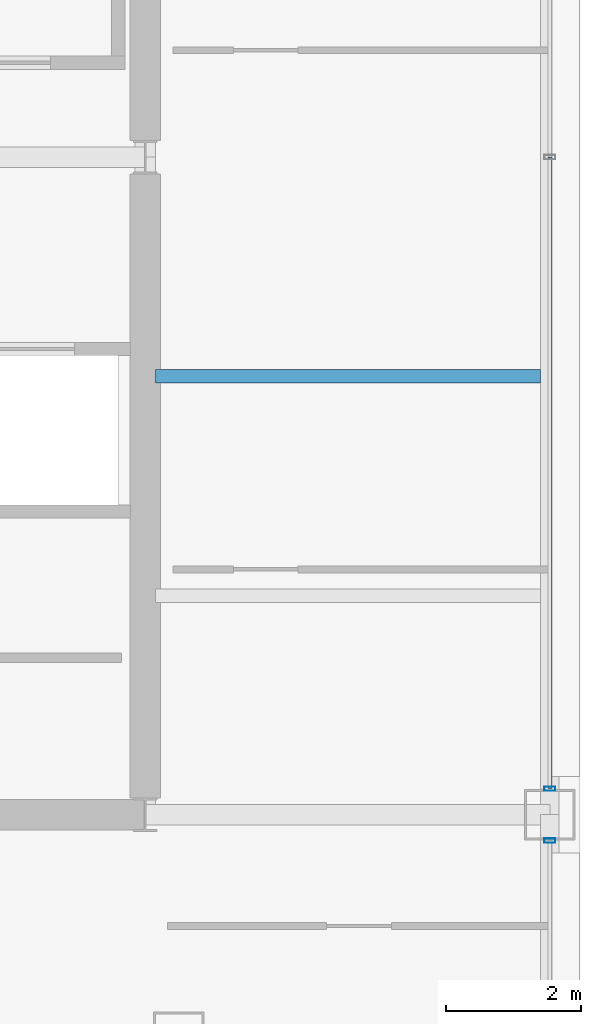
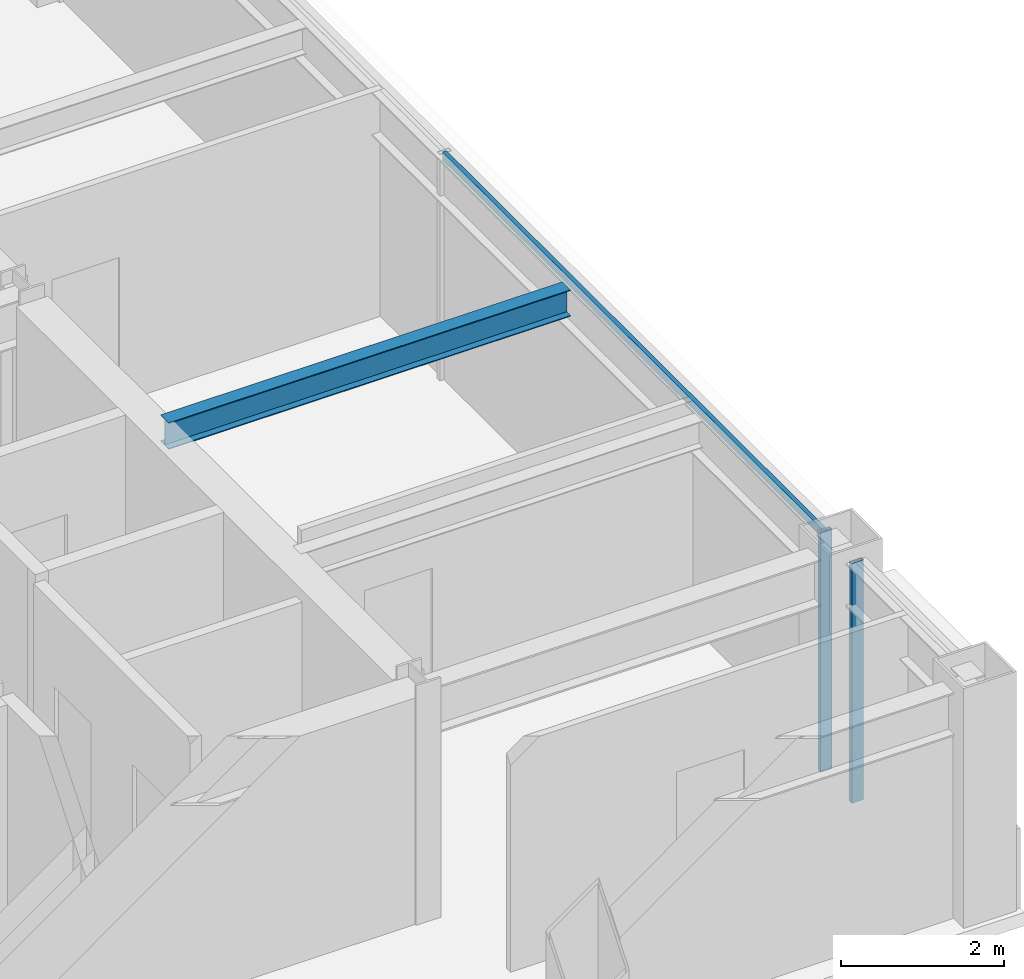
# One storey, part 13 of 28: 3 members, 1 beam, 2 elements without a shape of their own.
"""IFC4 building model written with IfcOpenShell, lengths in metres."""

import ifcopenshell
import ifcopenshell.guid

model = None  # the IFC model being written
_history = None  # IfcOwnerHistory: only IFC2X3 demands one
_inside = {}  # id of a spatial element -> (the spatial element, [elements in it])
_under = {}  # id of a project, library or spatial element -> (it, [spatial elements below it])
_declared = {}  # id of a project -> (the project, [libraries it declares])
_typed = {}  # id of a type object -> (the type object, [elements of that type])
_made_of = {}  # id of a material, layer set ... -> (it, [elements and type objects made of it])


def new_model(schema):
    """Start an empty IFC model of exactly this schema.

    Asked for "IFC4X3", IfcOpenShell would pick the latest addendum, in which some entities
    have other attributes; the version numbers below select the first issue.
    IFC2X3 requires an IfcOwnerHistory on every rooted entity: one is made here for all.
    """
    global model, _history
    if schema == "IFC4X3":
        model = ifcopenshell.file(schema_version=(4, 3, 0, 0))
    else:
        model = ifcopenshell.file(schema=schema)
    _inside.clear()
    _under.clear()
    _declared.clear()
    _typed.clear()
    _made_of.clear()
    _history = None
    if model.schema == "IFC2X3":
        org = make("IfcOrganization", Name="unknown")
        user = make(
            "IfcPersonAndOrganization",
            ThePerson=make("IfcPerson", FamilyName="unknown"),
            TheOrganization=org,
        )
        app = make(
            "IfcApplication",
            ApplicationDeveloper=org,
            Version="unknown",
            ApplicationFullName="unknown",
            ApplicationIdentifier="unknown",
        )
        _history = make(
            "IfcOwnerHistory",
            OwningUser=user,
            OwningApplication=app,
            ChangeAction="ADDED",
            CreationDate=0,
        )
    return model


def make(cls, **values):
    """One entity of the class cls with the attributes given. An attribute that is None is left unset."""
    return model.create_entity(
        cls, **{name: value for name, value in values.items() if value is not None}
    )


def rooted(cls, **values):
    """An entity with a GlobalId (a new one), such as an element, a storey or a relation."""
    return make(cls, GlobalId=ifcopenshell.guid.new(), OwnerHistory=_history, **values)


def si_unit(unit_type, name, prefix=None):
    """IfcSIUnit, for example si_unit("LENGTHUNIT", "METRE", prefix="MILLI")."""
    return make("IfcSIUnit", UnitType=unit_type, Prefix=prefix, Name=name)


def assignment(units):
    """IfcUnitAssignment: the units of a project."""
    return None if units is None else make("IfcUnitAssignment", Units=units)


def point(xyz):
    """IfcCartesianPoint."""
    return None if xyz is None else make("IfcCartesianPoint", Coordinates=xyz)


def direction(xyz):
    """IfcDirection."""
    return None if xyz is None else make("IfcDirection", DirectionRatios=xyz)


def frame(location, z_axis=None, x_axis=None):
    """IfcAxis2Placement3D, a coordinate frame: its origin and axes. An axis left out is left unset."""
    return make(
        "IfcAxis2Placement3D",
        Location=point(location),
        Axis=direction(z_axis),
        RefDirection=direction(x_axis),
    )


def frame_2d(location, x_axis=None):
    """IfcAxis2Placement2D, a coordinate frame in the plane: its origin and x axis."""
    return make(
        "IfcAxis2Placement2D", Location=point(location), RefDirection=direction(x_axis)
    )


def origin():
    """The frame at (0, 0, 0) with its axes left unset."""
    return frame((0.0, 0.0, 0.0))


def origin_2d():
    """The frame at (0, 0) in the plane with its x axis left unset."""
    return frame_2d((0.0, 0.0))


def place(relative_to, where):
    """IfcLocalPlacement: puts the frame where relative to a parent placement (None: the world)."""
    return make(
        "IfcLocalPlacement", PlacementRelTo=relative_to, RelativePlacement=where
    )


def context(
    kind, dimensions, precision=None, world=None, true_north=None, identifier=None
):
    """IfcGeometricRepresentationContext, for example the 3D "Model" context."""
    return make(
        "IfcGeometricRepresentationContext",
        ContextIdentifier=identifier,
        ContextType=kind,
        CoordinateSpaceDimension=dimensions,
        Precision=precision,
        WorldCoordinateSystem=world,
        TrueNorth=true_north,
    )


def subcontext(parent, identifier, kind, view, scale=None):
    """IfcGeometricRepresentationSubContext, for example "Body" below "Model"."""
    return make(
        "IfcGeometricRepresentationSubContext",
        ContextIdentifier=identifier,
        ContextType=kind,
        ParentContext=parent,
        TargetScale=scale,
        TargetView=view,
    )


def project(units=None, contexts=None):
    """IfcProject with its units and contexts."""
    return rooted(
        "IfcProject",
        Name="project",
        RepresentationContexts=contexts,
        UnitsInContext=assignment(units),
    )


def spatial(cls, under=None, at=None, **own):
    """A site, building, storey or space (cls), placed at a placement, below another one or the project."""
    s = rooted(cls, ObjectPlacement=at, **own)
    if under is not None:
        _under.setdefault(under.id(), (under, []))[1].append(s)
    return s


def profile(cls, at=None, kind="AREA", **sizes):
    """A parametric profile (cls). Its sizes go by their IFC names, for example OverallWidth=200.0."""
    return make(cls, ProfileType=kind, Position=at, **sizes)


def hollow_rectangle(**sizes):
    """IfcRectangleHollowProfileDef."""
    return profile("IfcRectangleHollowProfileDef", **sizes)


def i_section(**sizes):
    """IfcIShapeProfileDef."""
    return profile("IfcIShapeProfileDef", **sizes)


def extrude(swept, where, along, depth):
    """IfcExtrudedAreaSolid: the profile swept, set in the frame where, extruded along a direction by depth."""
    return make(
        "IfcExtrudedAreaSolid",
        SweptArea=swept,
        Position=where,
        ExtrudedDirection=direction(along),
        Depth=depth,
    )


def shape(context_of_items, identifier, shape_type, items):
    """IfcShapeRepresentation: the items that make up one representation, for example the "Body"."""
    return make(
        "IfcShapeRepresentation",
        ContextOfItems=context_of_items,
        RepresentationIdentifier=identifier,
        RepresentationType=shape_type,
        Items=items,
    )


def material(Name=None, Category=None):
    """IfcMaterial."""
    return make("IfcMaterial", Name=Name, Category=Category)


def layer(
    of_material, thickness, ventilated=None, Name=None, Category=None, Priority=None
):
    """IfcMaterialLayer: one layer of a wall or slab, of a material (None: an air gap)."""
    return make(
        "IfcMaterialLayer",
        Material=of_material,
        LayerThickness=thickness,
        IsVentilated=ventilated,
        Name=Name,
        Category=Category,
        Priority=Priority,
    )


def layer_set(layers, Name=None):
    """IfcMaterialLayerSet."""
    return make("IfcMaterialLayerSet", MaterialLayers=layers, LayerSetName=Name)


def material_profile(
    of_material, cross_section, Name=None, Category=None, Priority=None
):
    """IfcMaterialProfile: a cross section and its material."""
    return make(
        "IfcMaterialProfile",
        Name=Name,
        Material=of_material,
        Profile=cross_section,
        Priority=Priority,
        Category=Category,
    )


def profile_set(profiles, Name=None, composite=None):
    """IfcMaterialProfileSet."""
    return make(
        "IfcMaterialProfileSet",
        Name=Name,
        MaterialProfiles=profiles,
        CompositeProfile=composite,
    )


def made_of(thing, what):
    """Note that an element or type object is made of a material, layer set ...; save() writes the relation."""
    if what is not None:
        _made_of.setdefault(what.id(), (what, []))[1].append(thing)
    return thing


def type_object(cls, material=None, **own):
    """A type object (cls), such as IfcWallType, which elements share."""
    return made_of(rooted(cls, **own), material)


def element(
    cls,
    number,
    at=None,
    inside=None,
    cuts=None,
    type_object=None,
    material=None,
    context=None,
    identifier="Body",
    shape_type=None,
    held_by="IfcProductDefinitionShape",
    body=None,
    shapes=None,
    **own,
):
    """One element of the class cls, such as IfcWall. Its Tag is "e" and its number.

    at: its placement. inside: the storey or other place that contains it. cuts: it is an
    opening in that element (IfcRelVoidsElement). A single representation is given by context,
    identifier, shape_type and body (its items); several are given by shapes. held_by: the class
    of the entity that holds the representations. save() writes the other relations.
    """
    e = rooted(cls, Tag="e%d" % number, ObjectPlacement=at, **own)
    if body is not None:
        shapes = [shape(context, identifier, shape_type, body)]
    if shapes is not None:
        e.Representation = make(held_by, Representations=shapes)
    if inside is not None:
        _inside.setdefault(inside.id(), (inside, []))[1].append(e)
    if cuts is not None:
        rooted(
            "IfcRelVoidsElement", RelatingBuildingElement=cuts, RelatedOpeningElement=e
        )
    if type_object is not None:
        _typed.setdefault(type_object.id(), (type_object, []))[1].append(e)
    return made_of(e, material)


def aggregate(whole, parts):
    """IfcRelAggregates: a whole, such as a stair, and the parts it consists of."""
    return rooted("IfcRelAggregates", RelatingObject=whole, RelatedObjects=parts)


def save(model, path):
    """Write the relations noted so far, then the file.

    IfcRelAggregates (storeys below a building ...), IfcRelContainedInSpatialStructure (elements
    in a storey), IfcRelDefinesByType, IfcRelAssociatesMaterial and IfcRelDeclares: one each for
    every whole, place, type object, material and project.
    """
    for whole, parts in _under.values():
        aggregate(whole, parts)
    for where, things in _inside.values():
        rooted(
            "IfcRelContainedInSpatialStructure",
            RelatedElements=things,
            RelatingStructure=where,
        )
    for kind, things in _typed.values():
        rooted("IfcRelDefinesByType", RelatedObjects=things, RelatingType=kind)
    for what, things in _made_of.values():
        rooted("IfcRelAssociatesMaterial", RelatedObjects=things, RelatingMaterial=what)
    for by, libraries in _declared.values():
        rooted("IfcRelDeclares", RelatingContext=by, RelatedDefinitions=libraries)
    model.write(path)


model = new_model("IFC4")

# Units and contexts
model_context = context("Model", 3, precision=1e-05, world=origin(), true_north=direction((0.0, 1.0)))
body_context = subcontext(model_context, "Body", "Model", "MODEL_VIEW")
ifc_project = project(units=[si_unit("LENGTHUNIT", "METRE"), si_unit("AREAUNIT", "SQUARE_METRE"), si_unit("VOLUMEUNIT", "CUBIC_METRE"), si_unit("PLANEANGLEUNIT", "RADIAN"), si_unit("MASSUNIT", "GRAM", prefix="KILO")], contexts=[model_context])

# Site, building, storey
site_placement = place(None, origin())
site = spatial("IfcSite", under=ifc_project, at=site_placement, CompositionType="ELEMENT")
building_placement = place(site_placement, origin())
building = spatial("IfcBuilding", under=site, at=building_placement, Name="Brelmoor Portico Tower", CompositionType="ELEMENT")
storey_placement = place(building_placement, frame((0.0, 0.0, 165.89990234375)))
storey = spatial("IfcBuildingStorey", under=building, at=storey_placement, Name="L43", CompositionType="ELEMENT", Elevation=165.89990234375)

# Beam
ifc_material_1 = material(Name="Steel Q355B", Category="steel")
ifc_material_profile_1 = material_profile(ifc_material_1, i_section(OverallWidth=0.199951171875, OverallDepth=0.39990234375, WebThickness=0.008056640625, FlangeThickness=0.012939453125, at=origin_2d()), Name="HN 400x200x8x13")
ifc_profile_set_1 = profile_set([ifc_material_profile_1], Name="Steel Q355B")
beam_type = type_object("IfcBeamType", Name="BM-JS-400", PredefinedType="JOIST", material=ifc_profile_set_1)
beam_placement = place(storey_placement, frame((14.699951171875, -3.25, 3.2001953125), z_axis=(1.0, 0.0, 0.0), x_axis=(0.0, 1.0, 0.0)))
element("IfcBeam", 1, at=beam_placement, inside=storey, type_object=beam_type, Name="L43 Secondary Wing Joist JS-E10", PredefinedType="JOIST", context=body_context, shape_type="SweptSolid", body=[
    extrude(i_section(OverallWidth=0.199951171875, OverallDepth=0.39990234375, WebThickness=0.008056640625, FlangeThickness=0.012939453125, at=origin_2d()), origin(), (0.0, 0.0, 1.0), 5.7099609375),
])

# Curtain wall, member
ifc_material_2 = material(Name="Anodised Aluminium Alloy 6063-T6", Category="aluminium")
ifc_layer = layer(ifc_material_2, 0.179931640625)
ifc_layer_set = layer_set([ifc_layer], Name="Anodised Aluminium Alloy 6063-T6")
curtain_wall_type = type_object("IfcCurtainWallType", Name="CW-TOWER-Z3-XB", PredefinedType="NOTDEFINED", material=ifc_layer_set)
curtain_wall_1_placement = place(storey_placement, origin())
curtain_wall_1 = element("IfcCurtainWall", 2, at=curtain_wall_1_placement, inside=storey, type_object=curtain_wall_type, Name="L43 Curtain Wall CW-L43-04-1", PredefinedType="NOTDEFINED")
ifc_material_profile_2 = material_profile(ifc_material_2, hollow_rectangle(XDim=0.06494140625, YDim=0.1650390625, WallThickness=0.00390625, at=origin_2d()), Name="ALU MULLION 65x165")
ifc_profile_set_2 = profile_set([ifc_material_profile_2], Name="Anodised Aluminium Alloy 6063-T6")
member_type_1 = type_object("IfcMemberType", Name="MB-CW-MULL-165", PredefinedType="MULLION", material=ifc_profile_set_2)
member_1_placement = place(storey_placement, frame((20.550048828125, -10.135009765625, -0.199951171875), z_axis=(0.0, 0.0, 1.0), x_axis=(0.0, 1.0, 0.0)))
member_1 = element("IfcMember", 3, at=member_1_placement, type_object=member_type_1, Name="CW-L43-04-1 Mullion 01", PredefinedType="MULLION", context=body_context, shape_type="SweptSolid", body=[
    extrude(hollow_rectangle(XDim=0.06494140625, YDim=0.1650390625, WallThickness=0.00390625, at=origin_2d()), origin(), (0.0, 0.0, 1.0), 3.60009765625),
])
aggregate(curtain_wall_1, [member_1])

# Curtain wall, members
curtain_wall_2_placement = place(storey_placement, origin())
curtain_wall_2 = element("IfcCurtainWall", 4, at=curtain_wall_2_placement, inside=storey, type_object=curtain_wall_type, Name="L43 Curtain Wall CW-L43-04-2", PredefinedType="NOTDEFINED")
member_2_placement = place(storey_placement, frame((20.550048828125, -9.364990234375, -0.199951171875), z_axis=(0.0, 0.0, 1.0), x_axis=(0.0, 1.0, 0.0)))
member_2 = element("IfcMember", 5, at=member_2_placement, type_object=member_type_1, Name="CW-L43-04-2 Mullion 00", PredefinedType="MULLION", context=body_context, shape_type="SweptSolid", body=[
    extrude(hollow_rectangle(XDim=0.06494140625, YDim=0.1650390625, WallThickness=0.00390625, at=origin_2d()), origin(), (0.0, 0.0, 1.0), 3.60009765625),
])
ifc_material_profile_3 = material_profile(ifc_material_2, hollow_rectangle(XDim=0.06005859375, YDim=0.125, WallThickness=0.00341796875, at=origin_2d()), Name="ALU TRANSOM 60x125")
ifc_profile_set_3 = profile_set([ifc_material_profile_3], Name="Anodised Aluminium Alloy 6063-T6")
member_type_2 = type_object("IfcMemberType", Name="MB-CW-TRAN-125", PredefinedType="USERDEFINED", material=ifc_profile_set_3)
member_3_placement = place(storey_placement, frame((20.550048828125, -9.364990234375, 3.337646484375), z_axis=(0.0, 1.0, 0.0), x_axis=(-1.0, 0.0, 0.0)))
member_3 = element("IfcMember", 6, at=member_3_placement, type_object=member_type_2, Name="CW-L43-04-2 Transom 1-00", ObjectType="TRANSOM", PredefinedType="USERDEFINED", context=body_context, shape_type="SweptSolid", body=[
    extrude(hollow_rectangle(XDim=0.06005859375, YDim=0.125, WallThickness=0.00341796875, at=origin_2d()), origin(), (0.0, 0.0, 1.0), 9.364990234375),
])
aggregate(curtain_wall_2, [member_2, member_3])

save(model, "model.ifc")
